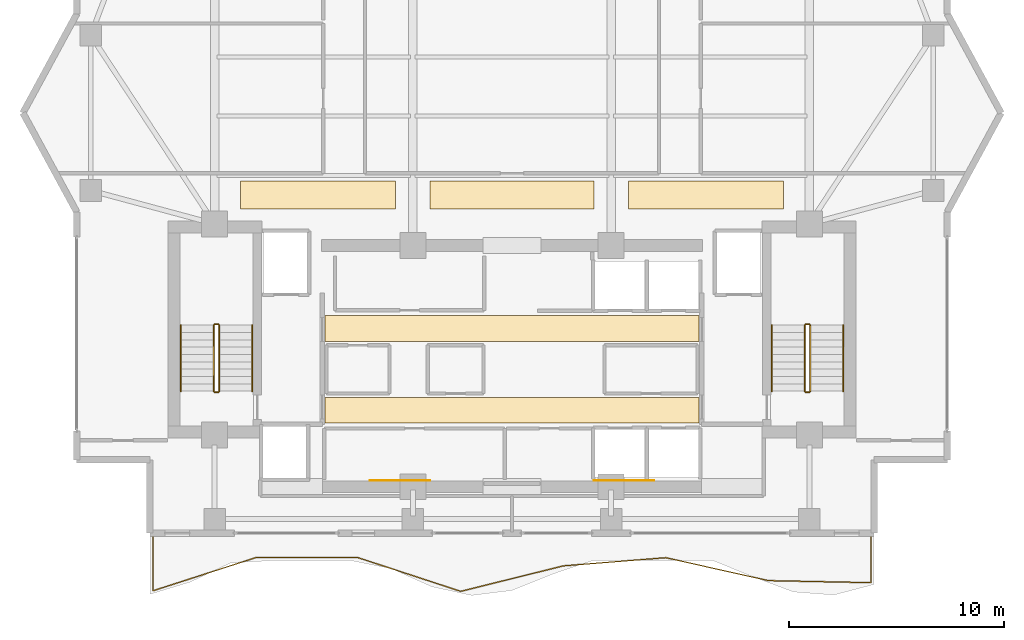
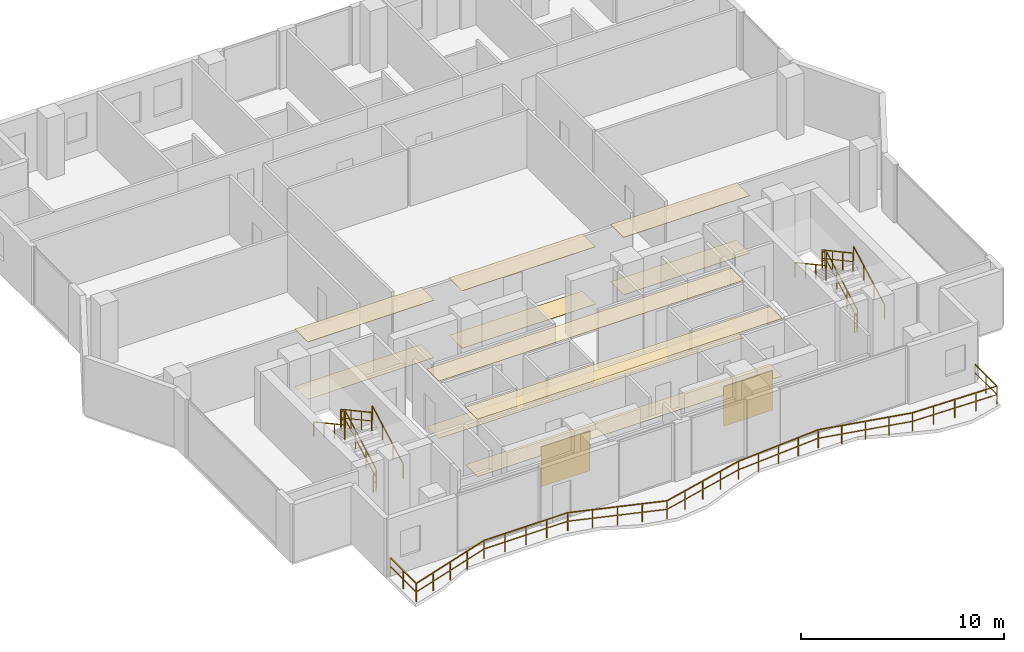
# One storey, part 21 of 23: 13 railings, 12 coverings.
"""IFC4 building model written with IfcOpenShell, lengths in metres."""

from ifc_helpers import new_model, si_unit, direction, frame, origin, origin_2d, place, context, subcontext, project, spatial, polyline, rectangle, outline, extrude, material, layer, layer_set, type_object, element, save


model = new_model("IFC4")

# Units and contexts
model_context = context("Model", 3, precision=1e-05, world=origin(), true_north=direction((0.0, 1.0)))
body_context = subcontext(model_context, "Body", "Model", "MODEL_VIEW")
ifc_project = project(units=[si_unit("LENGTHUNIT", "METRE"), si_unit("AREAUNIT", "SQUARE_METRE"), si_unit("VOLUMEUNIT", "CUBIC_METRE"), si_unit("PLANEANGLEUNIT", "RADIAN"), si_unit("MASSUNIT", "GRAM", prefix="KILO")], contexts=[model_context])

# Site, building, storey
site_placement = place(None, origin())
site = spatial("IfcSite", under=ifc_project, at=site_placement, CompositionType="ELEMENT")
building_placement = place(site_placement, origin())
building = spatial("IfcBuilding", under=site, at=building_placement, Name="Zuhayl Quay Hotel", CompositionType="ELEMENT")
storey_placement = place(building_placement, frame((0.0, 0.0, 272.949951171875)))
storey = spatial("IfcBuildingStorey", under=building, at=storey_placement, Name="L69", CompositionType="ELEMENT", Elevation=272.949951171875)

# Coverings
ifc_material_1 = material(Name="Acoustic Mineral-Fibre Gypsum Board")
ifc_layer_1 = layer(ifc_material_1, 0.02490234375, Name="Acoustic Mineral-Fibre Gypsum Board")
ifc_layer_set_1 = layer_set([ifc_layer_1], Name="Acoustic Mineral-Fibre Gypsum Board")
covering_type_1 = type_object("IfcCoveringType", Name="CV_CEIL_ACOUSTIC", PredefinedType="CEILING", material=ifc_layer_set_1)
covering_1_placement = place(storey_placement, frame((0.0, 0.0, 3.455078125)))
element("IfcCovering", 1, at=covering_1_placement, inside=storey, type_object=covering_type_1, Name="L69 Suspended Acoustic Lobby Ceiling S", PredefinedType="CEILING", context=body_context, shape_type="SweptSolid", body=[
    extrude(outline(polyline([(-8.679931640625, 5.10009765625), (8.679931640625, 5.10009765625), (8.679931640625, 6.300048828125), (-8.679931640625, 6.300048828125), (-8.679931640625, 5.10009765625)])), origin(), (0.0, 0.0, 1.0), 0.02490234375),
])
covering_2_placement = place(storey_placement, frame((0.0, 0.0, 3.455078125)))
element("IfcCovering", 2, at=covering_2_placement, inside=storey, type_object=covering_type_1, Name="L69 Suspended Acoustic Lobby Ceiling N", PredefinedType="CEILING", context=body_context, shape_type="SweptSolid", body=[
    extrude(outline(polyline([(-8.679931640625, 8.89990234375), (8.679931640625, 8.89990234375), (8.679931640625, 10.10009765625), (-8.679931640625, 10.10009765625), (-8.679931640625, 8.89990234375)])), origin(), (0.0, 0.0, 1.0), 0.02490234375),
])
covering_3_placement = place(storey_placement, frame((0.0, 0.0, 3.455078125)))
element("IfcCovering", 3, at=covering_3_placement, inside=storey, type_object=covering_type_1, Name="L69 Guest Corridor Acoustic Ceiling CW", PredefinedType="CEILING", context=body_context, shape_type="SweptSolid", body=[
    extrude(outline(polyline([(-12.60009765625, 15.050048828125), (-5.39990234375, 15.050048828125), (-5.39990234375, 16.35009765625), (-12.60009765625, 16.35009765625), (-12.60009765625, 15.050048828125)])), origin(), (0.0, 0.0, 1.0), 0.02490234375),
])
covering_4_placement = place(storey_placement, frame((0.0, 0.0, 3.455078125)))
element("IfcCovering", 4, at=covering_4_placement, inside=storey, type_object=covering_type_1, Name="L69 Guest Corridor Acoustic Ceiling CC", PredefinedType="CEILING", context=body_context, shape_type="SweptSolid", body=[
    extrude(outline(polyline([(-3.800048828125, 15.050048828125), (3.800048828125, 15.050048828125), (3.800048828125, 16.35009765625), (-3.800048828125, 16.35009765625), (-3.800048828125, 15.050048828125)])), origin(), (0.0, 0.0, 1.0), 0.02490234375),
])
covering_5_placement = place(storey_placement, frame((0.0, 0.0, 3.455078125)))
element("IfcCovering", 5, at=covering_5_placement, inside=storey, type_object=covering_type_1, Name="L69 Guest Corridor Acoustic Ceiling CE", PredefinedType="CEILING", context=body_context, shape_type="SweptSolid", body=[
    extrude(outline(polyline([(5.39990234375, 15.050048828125), (12.60009765625, 15.050048828125), (12.60009765625, 16.35009765625), (5.39990234375, 16.35009765625), (5.39990234375, 15.050048828125)])), origin(), (0.0, 0.0, 1.0), 0.02490234375),
])
ifc_material_2 = material(Name="Polished Limestone Terrazzo", Category="masonry")
ifc_layer_2 = layer(ifc_material_2, 0.02001953125, Name="Polished Limestone Terrazzo", Category="masonry")
ifc_layer_set_2 = layer_set([ifc_layer_2], Name="Polished Limestone Terrazzo")
covering_type_2 = type_object("IfcCoveringType", Name="CV_FLOOR_TERRAZZO", PredefinedType="FLOORING", material=ifc_layer_set_2)
covering_6_placement = place(storey_placement, origin())
element("IfcCovering", 6, at=covering_6_placement, inside=storey, type_object=covering_type_2, Name="L69 Honed Limestone Terrazzo Lobby Flooring S", PredefinedType="FLOORING", context=body_context, shape_type="SweptSolid", body=[
    extrude(outline(polyline([(-8.679931640625, 5.10009765625), (8.679931640625, 5.10009765625), (8.679931640625, 6.300048828125), (-8.679931640625, 6.300048828125), (-8.679931640625, 5.10009765625)])), origin(), (0.0, 0.0, 1.0), 0.02001953125),
])
covering_7_placement = place(storey_placement, origin())
element("IfcCovering", 7, at=covering_7_placement, inside=storey, type_object=covering_type_2, Name="L69 Honed Limestone Terrazzo Lobby Flooring N", PredefinedType="FLOORING", context=body_context, shape_type="SweptSolid", body=[
    extrude(outline(polyline([(-8.679931640625, 8.89990234375), (8.679931640625, 8.89990234375), (8.679931640625, 10.10009765625), (-8.679931640625, 10.10009765625), (-8.679931640625, 8.89990234375)])), origin(), (0.0, 0.0, 1.0), 0.02001953125),
])
covering_8_placement = place(storey_placement, origin())
element("IfcCovering", 8, at=covering_8_placement, inside=storey, type_object=covering_type_2, Name="L69 Guest Corridor Terrazzo Runner CW", PredefinedType="FLOORING", context=body_context, shape_type="SweptSolid", body=[
    extrude(outline(polyline([(-12.60009765625, 15.050048828125), (-5.39990234375, 15.050048828125), (-5.39990234375, 16.35009765625), (-12.60009765625, 16.35009765625), (-12.60009765625, 15.050048828125)])), origin(), (0.0, 0.0, 1.0), 0.02001953125),
])
covering_9_placement = place(storey_placement, origin())
element("IfcCovering", 9, at=covering_9_placement, inside=storey, type_object=covering_type_2, Name="L69 Guest Corridor Terrazzo Runner CC", PredefinedType="FLOORING", context=body_context, shape_type="SweptSolid", body=[
    extrude(outline(polyline([(-3.800048828125, 15.050048828125), (3.800048828125, 15.050048828125), (3.800048828125, 16.35009765625), (-3.800048828125, 16.35009765625), (-3.800048828125, 15.050048828125)])), origin(), (0.0, 0.0, 1.0), 0.02001953125),
])
covering_10_placement = place(storey_placement, origin())
element("IfcCovering", 10, at=covering_10_placement, inside=storey, type_object=covering_type_2, Name="L69 Guest Corridor Terrazzo Runner CE", PredefinedType="FLOORING", context=body_context, shape_type="SweptSolid", body=[
    extrude(outline(polyline([(5.39990234375, 15.050048828125), (12.60009765625, 15.050048828125), (12.60009765625, 16.35009765625), (5.39990234375, 16.35009765625), (5.39990234375, 15.050048828125)])), origin(), (0.0, 0.0, 1.0), 0.02001953125),
])
ifc_material_3 = material(Name="Acoustic Walnut Feature Timber", Category="wood")
ifc_layer_3 = layer(ifc_material_3, 0.02197265625, Name="Acoustic Walnut Feature Timber", Category="wood")
ifc_layer_set_3 = layer_set([ifc_layer_3], Name="Acoustic Walnut Feature Timber")
covering_type_3 = type_object("IfcCoveringType", Name="CV_WALL_CLAD", PredefinedType="CLADDING", material=ifc_layer_set_3)
for number, where, z_axis, x_axis, name in (
    (11, (-5.199951171875, 2.43603515625, 0.300048828125), (0.0, 0.0, 1.0), (1.0, 0.0, 0.0), "L69 Feature Lobby Walnut Wall Cladding W"),
    (12, (5.199951171875, 2.43603515625, 0.300048828125), (0.0, 0.0, 1.0), (1.0, 0.0, 0.0), "L69 Feature Lobby Walnut Wall Cladding E"),
):
    element("IfcCovering", number, at=place(storey_placement, frame(where, z_axis=z_axis, x_axis=x_axis)), inside=storey, type_object=covering_type_3, Name=name, PredefinedType="CLADDING", context=body_context, shape_type="SweptSolid", body=[
        extrude(rectangle(XDim=2.800048828125, YDim=0.02197265625, at=origin_2d()), origin(), (0.0, 0.0, 1.0), 2.39990234375),
    ])

# Railings
ifc_material_4 = material(Name="Anodised Aluminium and Laminated Glass", Category="aluminium")
railing_type_1 = type_object("IfcRailingType", Name="RL_EXT_BAL_1100", PredefinedType="BALUSTRADE", material=ifc_material_4)
railing_1_placement = place(storey_placement, frame((-16.659912109375, -0.1201171875, 0.0)))
element("IfcRailing", 13, at=railing_1_placement, inside=storey, type_object=railing_type_1, Name="L69 Balcony and Terrace Guard GR_L69_BAL_S", PredefinedType="BALUSTRADE", context=body_context, shape_type="SweptSolid", body=[
    extrude(rectangle(XDim=0.048095703125, YDim=0.048095703125, at=origin_2d()), frame((0.0, 0.0, 1.09619140625), z_axis=(0.0, -1.0, 0.0), x_axis=(1.0, 0.0, 0.0)), (0.0, 0.0, 1.0), 2.5556640625),
    extrude(rectangle(XDim=0.0361328125, YDim=0.0361328125, at=origin_2d()), frame((0.0, 0.0, 0.58251953125), z_axis=(0.0, -1.0, 0.0), x_axis=(1.0, 0.0, 0.0)), (0.0, 0.0, 1.0), 2.5556640625),
    extrude(rectangle(XDim=0.048095703125, YDim=0.048095703125, at=origin_2d()), frame((0.0, -2.5556640625, 1.09619140625), z_axis=(0.951685152157, 0.307075513782, 0.0), x_axis=(-0.307075513782, 0.951685152157, 0.0)), (0.0, 0.0, 1.0), 5.001708984375),
    extrude(rectangle(XDim=0.0361328125, YDim=0.0361328125, at=origin_2d()), frame((0.0, -2.5556640625, 0.58251953125), z_axis=(0.951685152157, 0.307075513782, 0.0), x_axis=(-0.307075513782, 0.951685152157, 0.0)), (0.0, 0.0, 1.0), 5.001708984375),
    extrude(rectangle(XDim=0.048095703125, YDim=0.048095703125, at=origin_2d()), frame((4.760009765625, -1.019775390625, 1.09619140625), z_axis=(1.0, 0.0, 0.0), x_axis=(0.0, 1.0, 0.0)), (0.0, 0.0, 1.0), 4.760009765625),
    extrude(rectangle(XDim=0.0361328125, YDim=0.0361328125, at=origin_2d()), frame((4.760009765625, -1.019775390625, 0.58251953125), z_axis=(1.0, 0.0, 0.0), x_axis=(0.0, 1.0, 0.0)), (0.0, 0.0, 1.0), 4.760009765625),
    extrude(rectangle(XDim=0.048095703125, YDim=0.048095703125, at=origin_2d()), frame((9.52001953125, -1.019775390625, 1.09619140625), z_axis=(0.950149568934, -0.311794478229, 0.0), x_axis=(0.311794478229, 0.950149568934, 0.0)), (0.0, 0.0, 1.0), 5.009765625),
    extrude(rectangle(XDim=0.0361328125, YDim=0.0361328125, at=origin_2d()), frame((9.52001953125, -1.019775390625, 0.58251953125), z_axis=(0.950149568934, -0.311794478229, 0.0), x_axis=(0.311794478229, 0.950149568934, 0.0)), (0.0, 0.0, 1.0), 5.009765625),
    extrude(rectangle(XDim=0.048095703125, YDim=0.048095703125, at=origin_2d()), frame((14.280029296875, -2.581787109375, 1.09619140625), z_axis=(0.970516157814, 0.241036070791, 0.0), x_axis=(-0.241036070791, 0.970516157814, 0.0)), (0.0, 0.0, 1.0), 4.904296875),
    extrude(rectangle(XDim=0.0361328125, YDim=0.0361328125, at=origin_2d()), frame((14.280029296875, -2.581787109375, 0.58251953125), z_axis=(0.970516157814, 0.241036070791, 0.0), x_axis=(-0.241036070791, 0.970516157814, 0.0)), (0.0, 0.0, 1.0), 4.904296875),
    extrude(rectangle(XDim=0.048095703125, YDim=0.048095703125, at=origin_2d()), frame((19.039794921875, -1.399658203125, 1.09619140625), z_axis=(0.99683054155, 0.079554204373, 0.0), x_axis=(-0.079554204373, 0.99683054155, 0.0)), (0.0, 0.0, 1.0), 4.775146484375),
    extrude(rectangle(XDim=0.0361328125, YDim=0.0361328125, at=origin_2d()), frame((19.039794921875, -1.399658203125, 0.58251953125), z_axis=(0.99683054155, 0.079554204373, 0.0), x_axis=(-0.079554204373, 0.99683054155, 0.0)), (0.0, 0.0, 1.0), 4.775146484375),
    extrude(rectangle(XDim=0.048095703125, YDim=0.048095703125, at=origin_2d()), frame((23.7998046875, -1.019775390625, 1.09619140625), z_axis=(0.975885805961, -0.218281684351, 0.0), x_axis=(0.218281684351, 0.975885805961, 0.0)), (0.0, 0.0, 1.0), 4.877685546875),
    extrude(rectangle(XDim=0.0361328125, YDim=0.0361328125, at=origin_2d()), frame((23.7998046875, -1.019775390625, 0.58251953125), z_axis=(0.975885805961, -0.218281684351, 0.0), x_axis=(0.218281684351, 0.975885805961, 0.0)), (0.0, 0.0, 1.0), 4.877685546875),
    extrude(rectangle(XDim=0.048095703125, YDim=0.048095703125, at=origin_2d()), frame((28.559814453125, -2.08447265625, 1.09619140625), z_axis=(0.999802043895, -0.019896558087, 0.0), x_axis=(0.019896558087, 0.999802043895, 0.0)), (0.0, 0.0, 1.0), 4.760986328125),
    extrude(rectangle(XDim=0.0361328125, YDim=0.0361328125, at=origin_2d()), frame((28.559814453125, -2.08447265625, 0.58251953125), z_axis=(0.999802043895, -0.019896558087, 0.0), x_axis=(0.019896558087, 0.999802043895, 0.0)), (0.0, 0.0, 1.0), 4.760986328125),
    extrude(rectangle(XDim=0.048095703125, YDim=0.048095703125, at=origin_2d()), frame((33.31982421875, -2.17919921875, 1.09619140625), z_axis=(0.0, 1.0, 0.0), x_axis=(-1.0, 0.0, 0.0)), (0.0, 0.0, 1.0), 2.17919921875),
    extrude(rectangle(XDim=0.0361328125, YDim=0.0361328125, at=origin_2d()), frame((33.31982421875, -2.17919921875, 0.58251953125), z_axis=(0.0, 1.0, 0.0), x_axis=(-1.0, 0.0, 0.0)), (0.0, 0.0, 1.0), 2.17919921875),
    extrude(rectangle(XDim=0.0419921875, YDim=0.0419921875, at=origin_2d()), origin(), (0.0, 0.0, 1.0), 1.072021484375),
    extrude(rectangle(XDim=0.0419921875, YDim=0.0419921875, at=origin_2d()), frame((0.0, -1.27783203125, 0.0)), (0.0, 0.0, 1.0), 1.072021484375),
    extrude(rectangle(XDim=0.0419921875, YDim=0.0419921875, at=origin_2d()), frame((0.0, -2.5556640625, 0.0)), (0.0, 0.0, 1.0), 1.072021484375),
    extrude(rectangle(XDim=0.0419921875, YDim=0.0419921875, at=origin_2d()), frame((1.18994140625, -2.171630859375, 0.0)), (0.0, 0.0, 1.0), 1.072021484375),
    extrude(rectangle(XDim=0.0419921875, YDim=0.0419921875, at=origin_2d()), frame((2.3798828125, -1.78759765625, 0.0)), (0.0, 0.0, 1.0), 1.072021484375),
    extrude(rectangle(XDim=0.0419921875, YDim=0.0419921875, at=origin_2d()), frame((3.570068359375, -1.40380859375, 0.0)), (0.0, 0.0, 1.0), 1.072021484375),
    extrude(rectangle(XDim=0.0419921875, YDim=0.0419921875, at=origin_2d()), frame((4.760009765625, -1.019775390625, 0.0)), (0.0, 0.0, 1.0), 1.072021484375),
    extrude(rectangle(XDim=0.0419921875, YDim=0.0419921875, at=origin_2d()), frame((5.949951171875, -1.019775390625, 0.0)), (0.0, 0.0, 1.0), 1.072021484375),
    extrude(rectangle(XDim=0.0419921875, YDim=0.0419921875, at=origin_2d()), frame((7.14013671875, -1.019775390625, 0.0)), (0.0, 0.0, 1.0), 1.072021484375),
    extrude(rectangle(XDim=0.0419921875, YDim=0.0419921875, at=origin_2d()), frame((8.330078125, -1.019775390625, 0.0)), (0.0, 0.0, 1.0), 1.072021484375),
    extrude(rectangle(XDim=0.0419921875, YDim=0.0419921875, at=origin_2d()), frame((9.52001953125, -1.019775390625, 0.0)), (0.0, 0.0, 1.0), 1.072021484375),
    extrude(rectangle(XDim=0.0419921875, YDim=0.0419921875, at=origin_2d()), frame((10.7099609375, -1.41015625, 0.0)), (0.0, 0.0, 1.0), 1.072021484375),
    extrude(rectangle(XDim=0.0419921875, YDim=0.0419921875, at=origin_2d()), frame((11.89990234375, -1.80078125, 0.0)), (0.0, 0.0, 1.0), 1.072021484375),
    extrude(rectangle(XDim=0.0419921875, YDim=0.0419921875, at=origin_2d()), frame((13.090087890625, -2.19140625, 0.0)), (0.0, 0.0, 1.0), 1.072021484375),
    extrude(rectangle(XDim=0.0419921875, YDim=0.0419921875, at=origin_2d()), frame((14.280029296875, -2.581787109375, 0.0)), (0.0, 0.0, 1.0), 1.072021484375),
    extrude(rectangle(XDim=0.0419921875, YDim=0.0419921875, at=origin_2d()), frame((15.469970703125, -2.2861328125, 0.0)), (0.0, 0.0, 1.0), 1.072021484375),
    extrude(rectangle(XDim=0.0419921875, YDim=0.0419921875, at=origin_2d()), frame((16.659912109375, -1.99072265625, 0.0)), (0.0, 0.0, 1.0), 1.072021484375),
    extrude(rectangle(XDim=0.0419921875, YDim=0.0419921875, at=origin_2d()), frame((17.849853515625, -1.6953125, 0.0)), (0.0, 0.0, 1.0), 1.072021484375),
    extrude(rectangle(XDim=0.0419921875, YDim=0.0419921875, at=origin_2d()), frame((19.039794921875, -1.399658203125, 0.0)), (0.0, 0.0, 1.0), 1.072021484375),
    extrude(rectangle(XDim=0.0419921875, YDim=0.0419921875, at=origin_2d()), frame((20.229736328125, -1.3046875, 0.0)), (0.0, 0.0, 1.0), 1.072021484375),
    extrude(rectangle(XDim=0.0419921875, YDim=0.0419921875, at=origin_2d()), frame((21.419921875, -1.209716796875, 0.0)), (0.0, 0.0, 1.0), 1.072021484375),
    extrude(rectangle(XDim=0.0419921875, YDim=0.0419921875, at=origin_2d()), frame((22.60986328125, -1.11474609375, 0.0)), (0.0, 0.0, 1.0), 1.072021484375),
    extrude(rectangle(XDim=0.0419921875, YDim=0.0419921875, at=origin_2d()), frame((23.7998046875, -1.019775390625, 0.0)), (0.0, 0.0, 1.0), 1.072021484375),
    extrude(rectangle(XDim=0.0419921875, YDim=0.0419921875, at=origin_2d()), frame((24.98974609375, -1.285888671875, 0.0)), (0.0, 0.0, 1.0), 1.072021484375),
    extrude(rectangle(XDim=0.0419921875, YDim=0.0419921875, at=origin_2d()), frame((26.1796875, -1.55224609375, 0.0)), (0.0, 0.0, 1.0), 1.072021484375),
    extrude(rectangle(XDim=0.0419921875, YDim=0.0419921875, at=origin_2d()), frame((27.369873046875, -1.818359375, 0.0)), (0.0, 0.0, 1.0), 1.072021484375),
    extrude(rectangle(XDim=0.0419921875, YDim=0.0419921875, at=origin_2d()), frame((28.559814453125, -2.08447265625, 0.0)), (0.0, 0.0, 1.0), 1.072021484375),
    extrude(rectangle(XDim=0.0419921875, YDim=0.0419921875, at=origin_2d()), frame((29.749755859375, -2.108154296875, 0.0)), (0.0, 0.0, 1.0), 1.072021484375),
    extrude(rectangle(XDim=0.0419921875, YDim=0.0419921875, at=origin_2d()), frame((30.93994140625, -2.1318359375, 0.0)), (0.0, 0.0, 1.0), 1.072021484375),
    extrude(rectangle(XDim=0.0419921875, YDim=0.0419921875, at=origin_2d()), frame((32.1298828125, -2.155517578125, 0.0)), (0.0, 0.0, 1.0), 1.072021484375),
    extrude(rectangle(XDim=0.0419921875, YDim=0.0419921875, at=origin_2d()), frame((33.31982421875, -2.17919921875, 0.0)), (0.0, 0.0, 1.0), 1.072021484375),
    extrude(rectangle(XDim=0.0419921875, YDim=0.0419921875, at=origin_2d()), frame((33.31982421875, -1.089599609375, 0.0)), (0.0, 0.0, 1.0), 1.072021484375),
    extrude(rectangle(XDim=0.0419921875, YDim=0.0419921875, at=origin_2d()), frame((33.31982421875, 0.0, 0.0)), (0.0, 0.0, 1.0), 1.072021484375),
])
ifc_material_5 = material(Name="Steel ASTM A992 Grade 50", Category="steel")
railing_type_2 = type_object("IfcRailingType", Name="RL_GUARD_1100", PredefinedType="GUARDRAIL", material=ifc_material_5)
railing_2_placement = place(storey_placement, frame((-13.590087890625, 6.590087890625, 0.18505859375)))
element("IfcRailing", 14, at=railing_2_placement, inside=storey, type_object=railing_type_2, Name="L69 ST1 stair guard 1", PredefinedType="GUARDRAIL", context=body_context, shape_type="SweptSolid", body=[
    extrude(rectangle(XDim=0.048095703125, YDim=0.048095703125, at=origin_2d()), frame((0.0, 0.0, 1.09619140625), z_axis=(0.0, 0.878371892512, 0.477977843049), x_axis=(-1.0, 0.0, 0.0)), (0.0, 0.0, 1.0), 3.4833984375),
    extrude(rectangle(XDim=0.0361328125, YDim=0.0361328125, at=origin_2d()), frame((0.0, 0.0, 0.58251953125), z_axis=(0.0, 0.878371892512, 0.477977843049), x_axis=(-1.0, 0.0, 0.0)), (0.0, 0.0, 1.0), 3.4833984375),
    extrude(rectangle(XDim=0.0419921875, YDim=0.0419921875, at=origin_2d()), origin(), (0.0, 0.0, 1.0), 1.072021484375),
    extrude(rectangle(XDim=0.0419921875, YDim=0.0419921875, at=origin_2d()), frame((0.0, 1.02001953125, 0.554931640625)), (0.0, 0.0, 1.0), 1.072021484375),
    extrude(rectangle(XDim=0.0419921875, YDim=0.0419921875, at=origin_2d()), frame((0.0, 2.039794921875, 1.110107421875)), (0.0, 0.0, 1.0), 1.072021484375),
    extrude(rectangle(XDim=0.0419921875, YDim=0.0419921875, at=origin_2d()), frame((0.0, 3.059814453125, 1.6650390625)), (0.0, 0.0, 1.0), 1.072021484375),
])
railing_3_placement = place(storey_placement, frame((-13.639892578125, 9.699951171875, 1.85009765625)))
element("IfcRailing", 15, at=railing_3_placement, inside=storey, type_object=railing_type_2, Name="L69 ST1 stair guard 2", PredefinedType="GUARDRAIL", context=body_context, shape_type="SweptSolid", body=[
    extrude(rectangle(XDim=0.048095703125, YDim=0.048095703125, at=origin_2d()), frame((0.0, 0.0, 1.09619140625), z_axis=(-1.0, 0.0, 0.0), x_axis=(0.0, -1.0, 0.0)), (0.0, 0.0, 1.0), 0.150146484375),
    extrude(rectangle(XDim=0.0361328125, YDim=0.0361328125, at=origin_2d()), frame((0.0, 0.0, 0.58251953125), z_axis=(-1.0, 0.0, 0.0), x_axis=(0.0, -1.0, 0.0)), (0.0, 0.0, 1.0), 0.150146484375),
    extrude(rectangle(XDim=0.0419921875, YDim=0.0419921875, at=origin_2d()), origin(), (0.0, 0.0, 1.0), 1.072021484375),
    extrude(rectangle(XDim=0.0419921875, YDim=0.0419921875, at=origin_2d()), frame((-0.150146484375, 0.0, 0.0)), (0.0, 0.0, 1.0), 1.072021484375),
])
railing_4_placement = place(storey_placement, frame((-13.840087890625, 9.64990234375, 2.03515625)))
element("IfcRailing", 16, at=railing_4_placement, inside=storey, type_object=railing_type_2, Name="L69 ST1 stair guard 3", PredefinedType="GUARDRAIL", context=body_context, shape_type="SweptSolid", body=[
    extrude(rectangle(XDim=0.048095703125, YDim=0.048095703125, at=origin_2d()), frame((0.0, 0.0, 1.09619140625), z_axis=(0.0, -0.878401316366, 0.477923767358), x_axis=(1.0, 0.0, 0.0)), (0.0, 0.0, 1.0), 3.4833984375),
    extrude(rectangle(XDim=0.0361328125, YDim=0.0361328125, at=origin_2d()), frame((0.0, 0.0, 0.58251953125), z_axis=(0.0, -0.878401316366, 0.477923767358), x_axis=(1.0, 0.0, 0.0)), (0.0, 0.0, 1.0), 3.4833984375),
    extrude(rectangle(XDim=0.0419921875, YDim=0.0419921875, at=origin_2d()), origin(), (0.0, 0.0, 1.0), 1.072021484375),
    extrude(rectangle(XDim=0.0419921875, YDim=0.0419921875, at=origin_2d()), frame((0.0, -1.02001953125, 0.554931640625)), (0.0, 0.0, 1.0), 1.072021484375),
    extrude(rectangle(XDim=0.0419921875, YDim=0.0419921875, at=origin_2d()), frame((0.0, -2.039794921875, 1.10986328125)), (0.0, 0.0, 1.0), 1.072021484375),
    extrude(rectangle(XDim=0.0419921875, YDim=0.0419921875, at=origin_2d()), frame((0.0, -3.059814453125, 1.664794921875)), (0.0, 0.0, 1.0), 1.072021484375),
])
railing_5_placement = place(storey_placement, frame((-13.639892578125, 6.5400390625, 0.0)))
element("IfcRailing", 17, at=railing_5_placement, inside=storey, type_object=railing_type_2, Name="L69 ST1 stair guard 4", PredefinedType="GUARDRAIL", context=body_context, shape_type="SweptSolid", body=[
    extrude(rectangle(XDim=0.048095703125, YDim=0.048095703125, at=origin_2d()), frame((0.0, 0.0, 1.09619140625), z_axis=(-1.0, 0.0, 0.0), x_axis=(0.0, -1.0, 0.0)), (0.0, 0.0, 1.0), 0.150146484375),
    extrude(rectangle(XDim=0.0361328125, YDim=0.0361328125, at=origin_2d()), frame((0.0, 0.0, 0.58251953125), z_axis=(-1.0, 0.0, 0.0), x_axis=(0.0, -1.0, 0.0)), (0.0, 0.0, 1.0), 0.150146484375),
    extrude(rectangle(XDim=0.0419921875, YDim=0.0419921875, at=origin_2d()), origin(), (0.0, 0.0, 1.0), 1.072021484375),
    extrude(rectangle(XDim=0.0419921875, YDim=0.0419921875, at=origin_2d()), frame((-0.150146484375, 0.0, 0.0)), (0.0, 0.0, 1.0), 1.072021484375),
])
railing_6_placement = place(storey_placement, frame((13.840087890625, 6.590087890625, 0.18505859375)))
element("IfcRailing", 18, at=railing_6_placement, inside=storey, type_object=railing_type_2, Name="L69 ST2 stair guard 1", PredefinedType="GUARDRAIL", context=body_context, shape_type="SweptSolid", body=[
    extrude(rectangle(XDim=0.048095703125, YDim=0.048095703125, at=origin_2d()), frame((0.0, 0.0, 1.09619140625), z_axis=(0.0, 0.878371892512, 0.477977843049), x_axis=(-1.0, 0.0, 0.0)), (0.0, 0.0, 1.0), 3.4833984375),
    extrude(rectangle(XDim=0.0361328125, YDim=0.0361328125, at=origin_2d()), frame((0.0, 0.0, 0.58251953125), z_axis=(0.0, 0.878371892512, 0.477977843049), x_axis=(-1.0, 0.0, 0.0)), (0.0, 0.0, 1.0), 3.4833984375),
    extrude(rectangle(XDim=0.0419921875, YDim=0.0419921875, at=origin_2d()), origin(), (0.0, 0.0, 1.0), 1.072021484375),
    extrude(rectangle(XDim=0.0419921875, YDim=0.0419921875, at=origin_2d()), frame((0.0, 1.02001953125, 0.554931640625)), (0.0, 0.0, 1.0), 1.072021484375),
    extrude(rectangle(XDim=0.0419921875, YDim=0.0419921875, at=origin_2d()), frame((0.0, 2.039794921875, 1.110107421875)), (0.0, 0.0, 1.0), 1.072021484375),
    extrude(rectangle(XDim=0.0419921875, YDim=0.0419921875, at=origin_2d()), frame((0.0, 3.059814453125, 1.6650390625)), (0.0, 0.0, 1.0), 1.072021484375),
])
railing_7_placement = place(storey_placement, frame((13.7900390625, 9.699951171875, 1.85009765625)))
element("IfcRailing", 19, at=railing_7_placement, inside=storey, type_object=railing_type_2, Name="L69 ST2 stair guard 2", PredefinedType="GUARDRAIL", context=body_context, shape_type="SweptSolid", body=[
    extrude(rectangle(XDim=0.048095703125, YDim=0.048095703125, at=origin_2d()), frame((0.0, 0.0, 1.09619140625), z_axis=(-1.0, 0.0, 0.0), x_axis=(0.0, -1.0, 0.0)), (0.0, 0.0, 1.0), 0.150146484375),
    extrude(rectangle(XDim=0.0361328125, YDim=0.0361328125, at=origin_2d()), frame((0.0, 0.0, 0.58251953125), z_axis=(-1.0, 0.0, 0.0), x_axis=(0.0, -1.0, 0.0)), (0.0, 0.0, 1.0), 0.150146484375),
    extrude(rectangle(XDim=0.0419921875, YDim=0.0419921875, at=origin_2d()), origin(), (0.0, 0.0, 1.0), 1.072021484375),
    extrude(rectangle(XDim=0.0419921875, YDim=0.0419921875, at=origin_2d()), frame((-0.150146484375, 0.0, 0.0)), (0.0, 0.0, 1.0), 1.072021484375),
])
railing_8_placement = place(storey_placement, frame((13.590087890625, 9.64990234375, 2.03515625)))
element("IfcRailing", 20, at=railing_8_placement, inside=storey, type_object=railing_type_2, Name="L69 ST2 stair guard 3", PredefinedType="GUARDRAIL", context=body_context, shape_type="SweptSolid", body=[
    extrude(rectangle(XDim=0.048095703125, YDim=0.048095703125, at=origin_2d()), frame((0.0, 0.0, 1.09619140625), z_axis=(0.0, -0.878401316366, 0.477923767358), x_axis=(1.0, 0.0, 0.0)), (0.0, 0.0, 1.0), 3.4833984375),
    extrude(rectangle(XDim=0.0361328125, YDim=0.0361328125, at=origin_2d()), frame((0.0, 0.0, 0.58251953125), z_axis=(0.0, -0.878401316366, 0.477923767358), x_axis=(1.0, 0.0, 0.0)), (0.0, 0.0, 1.0), 3.4833984375),
    extrude(rectangle(XDim=0.0419921875, YDim=0.0419921875, at=origin_2d()), origin(), (0.0, 0.0, 1.0), 1.072021484375),
    extrude(rectangle(XDim=0.0419921875, YDim=0.0419921875, at=origin_2d()), frame((0.0, -1.02001953125, 0.554931640625)), (0.0, 0.0, 1.0), 1.072021484375),
    extrude(rectangle(XDim=0.0419921875, YDim=0.0419921875, at=origin_2d()), frame((0.0, -2.039794921875, 1.10986328125)), (0.0, 0.0, 1.0), 1.072021484375),
    extrude(rectangle(XDim=0.0419921875, YDim=0.0419921875, at=origin_2d()), frame((0.0, -3.059814453125, 1.664794921875)), (0.0, 0.0, 1.0), 1.072021484375),
])
railing_9_placement = place(storey_placement, frame((13.7900390625, 6.5400390625, 0.0)))
element("IfcRailing", 21, at=railing_9_placement, inside=storey, type_object=railing_type_2, Name="L69 ST2 stair guard 4", PredefinedType="GUARDRAIL", context=body_context, shape_type="SweptSolid", body=[
    extrude(rectangle(XDim=0.048095703125, YDim=0.048095703125, at=origin_2d()), frame((0.0, 0.0, 1.09619140625), z_axis=(-1.0, 0.0, 0.0), x_axis=(0.0, -1.0, 0.0)), (0.0, 0.0, 1.0), 0.150146484375),
    extrude(rectangle(XDim=0.0361328125, YDim=0.0361328125, at=origin_2d()), frame((0.0, 0.0, 0.58251953125), z_axis=(-1.0, 0.0, 0.0), x_axis=(0.0, -1.0, 0.0)), (0.0, 0.0, 1.0), 0.150146484375),
    extrude(rectangle(XDim=0.0419921875, YDim=0.0419921875, at=origin_2d()), origin(), (0.0, 0.0, 1.0), 1.072021484375),
    extrude(rectangle(XDim=0.0419921875, YDim=0.0419921875, at=origin_2d()), frame((-0.150146484375, 0.0, 0.0)), (0.0, 0.0, 1.0), 1.072021484375),
])
railing_type_3 = type_object("IfcRailingType", Name="RL_HANDRAIL_920", PredefinedType="HANDRAIL", material=ifc_material_5)
railing_10_placement = place(storey_placement, frame((-12.050048828125, 6.590087890625, 0.18505859375)))
element("IfcRailing", 22, at=railing_10_placement, inside=storey, type_object=railing_type_3, Name="L69 ST1 stair handrail 1", PredefinedType="HANDRAIL", context=body_context, shape_type="SweptSolid", body=[
    extrude(rectangle(XDim=0.048095703125, YDim=0.048095703125, at=origin_2d()), frame((0.0, 0.0, 0.8759765625), z_axis=(0.0, 0.878371892512, 0.477977843049), x_axis=(-1.0, 0.0, 0.0)), (0.0, 0.0, 1.0), 3.4833984375),
    extrude(rectangle(XDim=0.0419921875, YDim=0.0419921875, at=origin_2d()), origin(), (0.0, 0.0, 1.0), 0.851806640625),
    extrude(rectangle(XDim=0.0419921875, YDim=0.0419921875, at=origin_2d()), frame((0.0, 1.02001953125, 0.554931640625)), (0.0, 0.0, 1.0), 0.851806640625),
    extrude(rectangle(XDim=0.0419921875, YDim=0.0419921875, at=origin_2d()), frame((0.0, 2.039794921875, 1.110107421875)), (0.0, 0.0, 1.0), 0.851806640625),
    extrude(rectangle(XDim=0.0419921875, YDim=0.0419921875, at=origin_2d()), frame((0.0, 3.059814453125, 1.6650390625)), (0.0, 0.0, 1.0), 0.851806640625),
])
railing_11_placement = place(storey_placement, frame((-15.3798828125, 9.64990234375, 2.03515625)))
element("IfcRailing", 23, at=railing_11_placement, inside=storey, type_object=railing_type_3, Name="L69 ST1 stair handrail 2", PredefinedType="HANDRAIL", context=body_context, shape_type="SweptSolid", body=[
    extrude(rectangle(XDim=0.048095703125, YDim=0.048095703125, at=origin_2d()), frame((0.0, 0.0, 0.8759765625), z_axis=(0.0, -0.878401316366, 0.477923767358), x_axis=(1.0, 0.0, 0.0)), (0.0, 0.0, 1.0), 3.4833984375),
    extrude(rectangle(XDim=0.0419921875, YDim=0.0419921875, at=origin_2d()), origin(), (0.0, 0.0, 1.0), 0.851806640625),
    extrude(rectangle(XDim=0.0419921875, YDim=0.0419921875, at=origin_2d()), frame((0.0, -1.02001953125, 0.554931640625)), (0.0, 0.0, 1.0), 0.851806640625),
    extrude(rectangle(XDim=0.0419921875, YDim=0.0419921875, at=origin_2d()), frame((0.0, -2.039794921875, 1.10986328125)), (0.0, 0.0, 1.0), 0.851806640625),
    extrude(rectangle(XDim=0.0419921875, YDim=0.0419921875, at=origin_2d()), frame((0.0, -3.059814453125, 1.664794921875)), (0.0, 0.0, 1.0), 0.851806640625),
])
railing_12_placement = place(storey_placement, frame((15.3798828125, 6.590087890625, 0.18505859375)))
element("IfcRailing", 24, at=railing_12_placement, inside=storey, type_object=railing_type_3, Name="L69 ST2 stair handrail 1", PredefinedType="HANDRAIL", context=body_context, shape_type="SweptSolid", body=[
    extrude(rectangle(XDim=0.048095703125, YDim=0.048095703125, at=origin_2d()), frame((0.0, 0.0, 0.8759765625), z_axis=(0.0, 0.878371892512, 0.477977843049), x_axis=(-1.0, 0.0, 0.0)), (0.0, 0.0, 1.0), 3.4833984375),
    extrude(rectangle(XDim=0.0419921875, YDim=0.0419921875, at=origin_2d()), origin(), (0.0, 0.0, 1.0), 0.851806640625),
    extrude(rectangle(XDim=0.0419921875, YDim=0.0419921875, at=origin_2d()), frame((0.0, 1.02001953125, 0.554931640625)), (0.0, 0.0, 1.0), 0.851806640625),
    extrude(rectangle(XDim=0.0419921875, YDim=0.0419921875, at=origin_2d()), frame((0.0, 2.039794921875, 1.110107421875)), (0.0, 0.0, 1.0), 0.851806640625),
    extrude(rectangle(XDim=0.0419921875, YDim=0.0419921875, at=origin_2d()), frame((0.0, 3.059814453125, 1.6650390625)), (0.0, 0.0, 1.0), 0.851806640625),
])
railing_13_placement = place(storey_placement, frame((12.050048828125, 9.64990234375, 2.03515625)))
element("IfcRailing", 25, at=railing_13_placement, inside=storey, type_object=railing_type_3, Name="L69 ST2 stair handrail 2", PredefinedType="HANDRAIL", context=body_context, shape_type="SweptSolid", body=[
    extrude(rectangle(XDim=0.048095703125, YDim=0.048095703125, at=origin_2d()), frame((0.0, 0.0, 0.8759765625), z_axis=(0.0, -0.878401316366, 0.477923767358), x_axis=(1.0, 0.0, 0.0)), (0.0, 0.0, 1.0), 3.4833984375),
    extrude(rectangle(XDim=0.0419921875, YDim=0.0419921875, at=origin_2d()), origin(), (0.0, 0.0, 1.0), 0.851806640625),
    extrude(rectangle(XDim=0.0419921875, YDim=0.0419921875, at=origin_2d()), frame((0.0, -1.02001953125, 0.554931640625)), (0.0, 0.0, 1.0), 0.851806640625),
    extrude(rectangle(XDim=0.0419921875, YDim=0.0419921875, at=origin_2d()), frame((0.0, -2.039794921875, 1.10986328125)), (0.0, 0.0, 1.0), 0.851806640625),
    extrude(rectangle(XDim=0.0419921875, YDim=0.0419921875, at=origin_2d()), frame((0.0, -3.059814453125, 1.664794921875)), (0.0, 0.0, 1.0), 0.851806640625),
])

save(model, "model.ifc")
